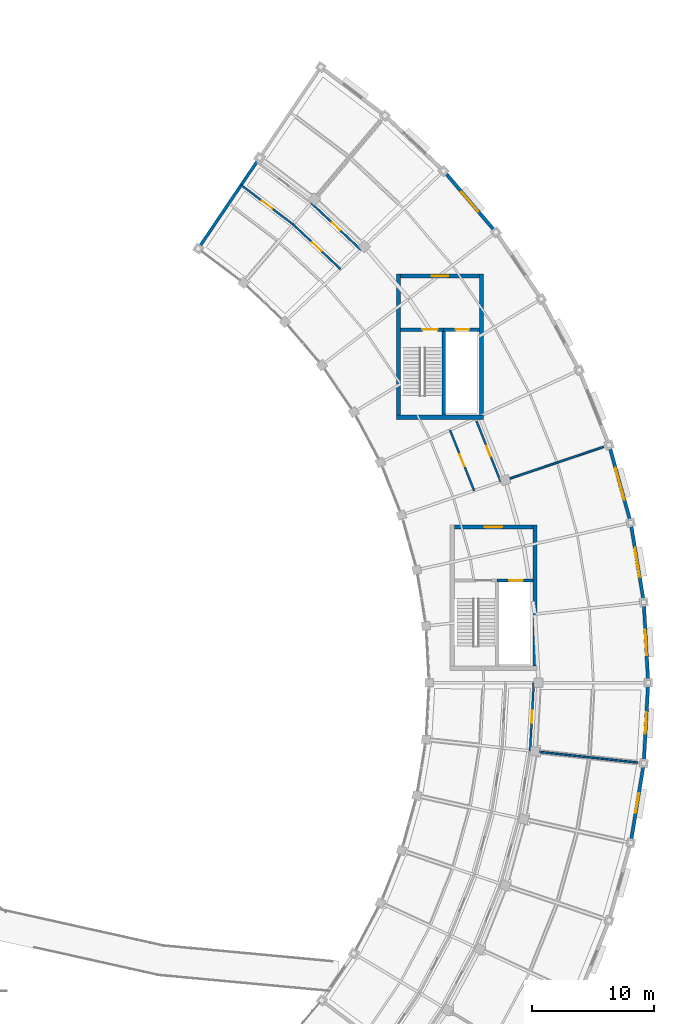
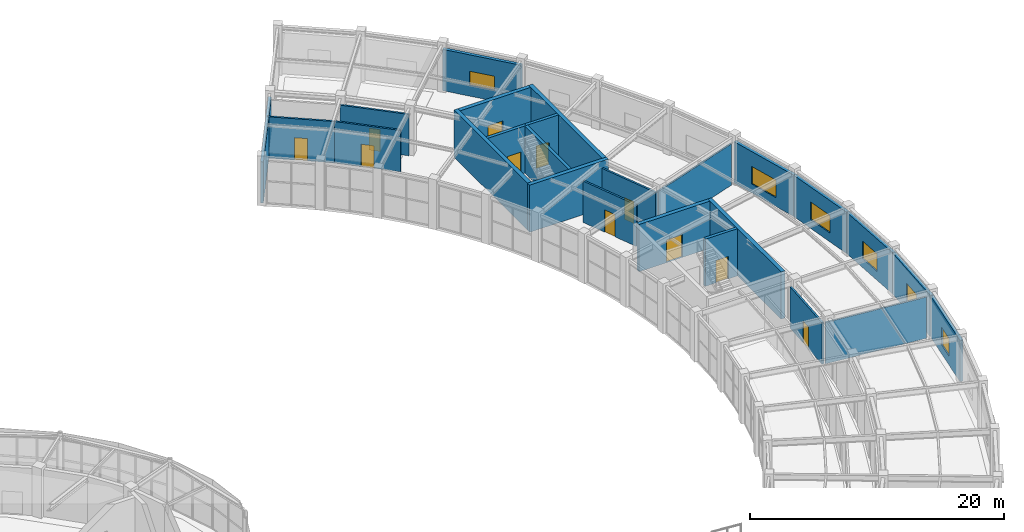
# One storey, part 84 of 100: 25 walls, 11 doors, 6 windows, 17 openings.
"""IFC4 building model written with IfcOpenShell, lengths in metres."""

import ifcopenshell
import ifcopenshell.guid

model = None  # the IFC model being written
_history = None  # IfcOwnerHistory: only IFC2X3 demands one
_inside = {}  # id of a spatial element -> (the spatial element, [elements in it])
_under = {}  # id of a project, library or spatial element -> (it, [spatial elements below it])
_declared = {}  # id of a project -> (the project, [libraries it declares])
_typed = {}  # id of a type object -> (the type object, [elements of that type])
_made_of = {}  # id of a material, layer set ... -> (it, [elements and type objects made of it])


def new_model(schema):
    """Start an empty IFC model of exactly this schema.

    Asked for "IFC4X3", IfcOpenShell would pick the latest addendum, in which some entities
    have other attributes; the version numbers below select the first issue.
    IFC2X3 requires an IfcOwnerHistory on every rooted entity: one is made here for all.
    """
    global model, _history
    if schema == "IFC4X3":
        model = ifcopenshell.file(schema_version=(4, 3, 0, 0))
    else:
        model = ifcopenshell.file(schema=schema)
    _inside.clear()
    _under.clear()
    _declared.clear()
    _typed.clear()
    _made_of.clear()
    _history = None
    if model.schema == "IFC2X3":
        org = make("IfcOrganization", Name="unknown")
        user = make(
            "IfcPersonAndOrganization",
            ThePerson=make("IfcPerson", FamilyName="unknown"),
            TheOrganization=org,
        )
        app = make(
            "IfcApplication",
            ApplicationDeveloper=org,
            Version="unknown",
            ApplicationFullName="unknown",
            ApplicationIdentifier="unknown",
        )
        _history = make(
            "IfcOwnerHistory",
            OwningUser=user,
            OwningApplication=app,
            ChangeAction="ADDED",
            CreationDate=0,
        )
    return model


def make(cls, **values):
    """One entity of the class cls with the attributes given. An attribute that is None is left unset."""
    return model.create_entity(
        cls, **{name: value for name, value in values.items() if value is not None}
    )


def rooted(cls, **values):
    """An entity with a GlobalId (a new one), such as an element, a storey or a relation."""
    return make(cls, GlobalId=ifcopenshell.guid.new(), OwnerHistory=_history, **values)


def si_unit(unit_type, name, prefix=None):
    """IfcSIUnit, for example si_unit("LENGTHUNIT", "METRE", prefix="MILLI")."""
    return make("IfcSIUnit", UnitType=unit_type, Prefix=prefix, Name=name)


def assignment(units):
    """IfcUnitAssignment: the units of a project."""
    return None if units is None else make("IfcUnitAssignment", Units=units)


def point(xyz):
    """IfcCartesianPoint."""
    return None if xyz is None else make("IfcCartesianPoint", Coordinates=xyz)


def direction(xyz):
    """IfcDirection."""
    return None if xyz is None else make("IfcDirection", DirectionRatios=xyz)


def frame(location, z_axis=None, x_axis=None):
    """IfcAxis2Placement3D, a coordinate frame: its origin and axes. An axis left out is left unset."""
    return make(
        "IfcAxis2Placement3D",
        Location=point(location),
        Axis=direction(z_axis),
        RefDirection=direction(x_axis),
    )


def frame_2d(location, x_axis=None):
    """IfcAxis2Placement2D, a coordinate frame in the plane: its origin and x axis."""
    return make(
        "IfcAxis2Placement2D", Location=point(location), RefDirection=direction(x_axis)
    )


def origin():
    """The frame at (0, 0, 0) with its axes left unset."""
    return frame((0.0, 0.0, 0.0))


def place(relative_to, where):
    """IfcLocalPlacement: puts the frame where relative to a parent placement (None: the world)."""
    return make(
        "IfcLocalPlacement", PlacementRelTo=relative_to, RelativePlacement=where
    )


def context(
    kind, dimensions, precision=None, world=None, true_north=None, identifier=None
):
    """IfcGeometricRepresentationContext, for example the 3D "Model" context."""
    return make(
        "IfcGeometricRepresentationContext",
        ContextIdentifier=identifier,
        ContextType=kind,
        CoordinateSpaceDimension=dimensions,
        Precision=precision,
        WorldCoordinateSystem=world,
        TrueNorth=true_north,
    )


def subcontext(parent, identifier, kind, view, scale=None):
    """IfcGeometricRepresentationSubContext, for example "Body" below "Model"."""
    return make(
        "IfcGeometricRepresentationSubContext",
        ContextIdentifier=identifier,
        ContextType=kind,
        ParentContext=parent,
        TargetScale=scale,
        TargetView=view,
    )


def project(units=None, contexts=None):
    """IfcProject with its units and contexts."""
    return rooted(
        "IfcProject",
        Name="project",
        RepresentationContexts=contexts,
        UnitsInContext=assignment(units),
    )


def spatial(cls, under=None, at=None, **own):
    """A site, building, storey or space (cls), placed at a placement, below another one or the project."""
    s = rooted(cls, ObjectPlacement=at, **own)
    if under is not None:
        _under.setdefault(under.id(), (under, []))[1].append(s)
    return s


def profile(cls, at=None, kind="AREA", **sizes):
    """A parametric profile (cls). Its sizes go by their IFC names, for example OverallWidth=200.0."""
    return make(cls, ProfileType=kind, Position=at, **sizes)


def rectangle(**sizes):
    """IfcRectangleProfileDef."""
    return profile("IfcRectangleProfileDef", **sizes)


def extrude(swept, where, along, depth):
    """IfcExtrudedAreaSolid: the profile swept, set in the frame where, extruded along a direction by depth."""
    return make(
        "IfcExtrudedAreaSolid",
        SweptArea=swept,
        Position=where,
        ExtrudedDirection=direction(along),
        Depth=depth,
    )


def shape(context_of_items, identifier, shape_type, items):
    """IfcShapeRepresentation: the items that make up one representation, for example the "Body"."""
    return make(
        "IfcShapeRepresentation",
        ContextOfItems=context_of_items,
        RepresentationIdentifier=identifier,
        RepresentationType=shape_type,
        Items=items,
    )


def material(Name=None, Category=None):
    """IfcMaterial."""
    return make("IfcMaterial", Name=Name, Category=Category)


def layer(
    of_material, thickness, ventilated=None, Name=None, Category=None, Priority=None
):
    """IfcMaterialLayer: one layer of a wall or slab, of a material (None: an air gap)."""
    return make(
        "IfcMaterialLayer",
        Material=of_material,
        LayerThickness=thickness,
        IsVentilated=ventilated,
        Name=Name,
        Category=Category,
        Priority=Priority,
    )


def layer_set(layers, Name=None):
    """IfcMaterialLayerSet."""
    return make("IfcMaterialLayerSet", MaterialLayers=layers, LayerSetName=Name)


def made_of(thing, what):
    """Note that an element or type object is made of a material, layer set ...; save() writes the relation."""
    if what is not None:
        _made_of.setdefault(what.id(), (what, []))[1].append(thing)
    return thing


def type_object(cls, material=None, **own):
    """A type object (cls), such as IfcWallType, which elements share."""
    return made_of(rooted(cls, **own), material)


def element(
    cls,
    number,
    at=None,
    inside=None,
    cuts=None,
    type_object=None,
    material=None,
    context=None,
    identifier="Body",
    shape_type=None,
    held_by="IfcProductDefinitionShape",
    body=None,
    shapes=None,
    **own,
):
    """One element of the class cls, such as IfcWall. Its Tag is "e" and its number.

    at: its placement. inside: the storey or other place that contains it. cuts: it is an
    opening in that element (IfcRelVoidsElement). A single representation is given by context,
    identifier, shape_type and body (its items); several are given by shapes. held_by: the class
    of the entity that holds the representations. save() writes the other relations.
    """
    e = rooted(cls, Tag="e%d" % number, ObjectPlacement=at, **own)
    if body is not None:
        shapes = [shape(context, identifier, shape_type, body)]
    if shapes is not None:
        e.Representation = make(held_by, Representations=shapes)
    if inside is not None:
        _inside.setdefault(inside.id(), (inside, []))[1].append(e)
    if cuts is not None:
        rooted(
            "IfcRelVoidsElement", RelatingBuildingElement=cuts, RelatedOpeningElement=e
        )
    if type_object is not None:
        _typed.setdefault(type_object.id(), (type_object, []))[1].append(e)
    return made_of(e, material)


def fill(opening, filler):
    """IfcRelFillsElement: the door or window that sits in an opening."""
    return rooted(
        "IfcRelFillsElement",
        RelatingOpeningElement=opening,
        RelatedBuildingElement=filler,
    )


def aggregate(whole, parts):
    """IfcRelAggregates: a whole, such as a stair, and the parts it consists of."""
    return rooted("IfcRelAggregates", RelatingObject=whole, RelatedObjects=parts)


def save(model, path):
    """Write the relations noted so far, then the file.

    IfcRelAggregates (storeys below a building ...), IfcRelContainedInSpatialStructure (elements
    in a storey), IfcRelDefinesByType, IfcRelAssociatesMaterial and IfcRelDeclares: one each for
    every whole, place, type object, material and project.
    """
    for whole, parts in _under.values():
        aggregate(whole, parts)
    for where, things in _inside.values():
        rooted(
            "IfcRelContainedInSpatialStructure",
            RelatedElements=things,
            RelatingStructure=where,
        )
    for kind, things in _typed.values():
        rooted("IfcRelDefinesByType", RelatedObjects=things, RelatingType=kind)
    for what, things in _made_of.values():
        rooted("IfcRelAssociatesMaterial", RelatedObjects=things, RelatingMaterial=what)
    for by, libraries in _declared.values():
        rooted("IfcRelDeclares", RelatingContext=by, RelatedDefinitions=libraries)
    model.write(path)


model = new_model("IFC4")

# Units and contexts
model_context = context("Model", 3, precision=1e-05, world=origin(), true_north=direction((0.0, 1.0)))
body_context = subcontext(model_context, "Body", "Model", "MODEL_VIEW")
ifc_project = project(units=[si_unit("LENGTHUNIT", "METRE"), si_unit("AREAUNIT", "SQUARE_METRE"), si_unit("VOLUMEUNIT", "CUBIC_METRE"), si_unit("PLANEANGLEUNIT", "RADIAN"), si_unit("MASSUNIT", "GRAM", prefix="KILO")], contexts=[model_context])

# Site, building, storey
site_placement = place(None, origin())
site = spatial("IfcSite", under=ifc_project, at=site_placement, CompositionType="ELEMENT")
building_placement = place(site_placement, origin())
building = spatial("IfcBuilding", under=site, at=building_placement, Name="Tarnveldt Headland Concert Hall", CompositionType="ELEMENT")
storey_placement = place(building_placement, frame((0.0, 0.0, 4.800048828125)))
storey = spatial("IfcBuildingStorey", under=building, at=storey_placement, Name="L01", CompositionType="ELEMENT", Elevation=4.800048828125)

# Wall
ifc_material_1 = material(Name="Concrete C40/50", Category="concrete")
ifc_layer_1 = layer(ifc_material_1, 0.35009765625, Name="Concrete C40/50", Category="concrete")
ifc_layer_set_1 = layer_set([ifc_layer_1], Name="Concrete C40/50")
wall_type_1 = type_object("IfcWallType", Name="WL-CR350", PredefinedType="SHEAR", material=ifc_layer_set_1)
wall_1_placement = place(storey_placement, frame((157.824951171875, 81.800048828125, 0.0), z_axis=(0.0, 0.0, 1.0), x_axis=(1.0, 0.0, 0.0)))
element("IfcWall", 1, at=wall_1_placement, inside=storey, type_object=wall_type_1, Name="Core C3 south shear wall L01", PredefinedType="SHEAR", context=body_context, shape_type="SweptSolid", body=[
    extrude(rectangle(XDim=7.150146484375, YDim=0.35009765625, at=frame_2d((3.5751953125, 0.0))), origin(), (0.0, 0.0, 1.0), 4.5400390625),
])

# Wall, opening, door
wall_2_placement = place(storey_placement, frame((158.175048828125, 93.39990234375, 0.0), z_axis=(0.0, 0.0, 1.0), x_axis=(1.0, 0.0, 0.0)))
wall_2 = element("IfcWall", 2, at=wall_2_placement, inside=storey, type_object=wall_type_1, Name="Core C3 north shear wall L01", PredefinedType="SHEAR", context=body_context, shape_type="SweptSolid", body=[
    extrude(rectangle(XDim=6.449951171875, YDim=0.35009765625, at=frame_2d((3.22509765625, 0.0))), origin(), (0.0, 0.0, 1.0), 4.5400390625),
])
opening_1_placement = place(wall_2_placement, frame((2.550048828125, 0.0, 0.0)))
opening_1 = element("IfcOpeningElement", 3, at=opening_1_placement, cuts=wall_2, Name="Opening FFD-C3-L01", PredefinedType="OPENING", context=body_context, shape_type="SweptSolid", body=[
    extrude(rectangle(XDim=1.35009765625, YDim=2.199951171875, at=frame_2d((0.675048828125, 1.10009765625))), frame((0.0, 0.18505859375, 0.0), z_axis=(0.0, -1.0, 0.0), x_axis=(1.0, 0.0, 0.0)), (0.0, 0.0, 1.0), 0.3701171875),
])
ifc_material_2 = material(Name="Galvanised painted steel sheet", Category="steel")
door_type_1 = type_object("IfcDoorType", Name="DR-FF135", OperationType="NOTDEFINED", PredefinedType="DOOR", material=ifc_material_2)
door_1_placement = place(opening_1_placement, origin())
door_1 = element("IfcDoor", 4, at=door_1_placement, inside=storey, type_object=door_type_1, Name="Core C3 firefighting lobby entrance door L01", OperationType="SINGLE_SWING_LEFT", OverallHeight=2.199951171875, OverallWidth=1.35009765625, PredefinedType="DOOR", context=body_context, shape_type="SweptSolid", body=[
    extrude(rectangle(XDim=1.35009765625, YDim=2.199951171875, at=frame_2d((0.675048828125, 1.10009765625))), frame((0.0, 0.02490234375, 0.0), z_axis=(0.0, -1.0, 0.0), x_axis=(1.0, 0.0, 0.0)), (0.0, 0.0, 1.0), 0.050048828125),
])
fill(opening_1, door_1)

# Walls
for number, where, z_axis, x_axis, name in (
    (5, (158.0, 81.97509765625, 0.0), (0.0, 0.0, 1.0), (0.0, 1.0, 0.0), "Core C3 west shear wall L01"),
    (6, (164.800048828125, 81.97509765625, 0.0), (0.0, 0.0, 1.0), (0.0, 1.0, 0.0), "Core C3 east shear wall L01"),
):
    element("IfcWall", number, at=place(storey_placement, frame(where, z_axis=z_axis, x_axis=x_axis)), inside=storey, type_object=wall_type_1, Name=name, PredefinedType="SHEAR", context=body_context, shape_type="SweptSolid", body=[
        extrude(rectangle(XDim=11.599853515625, YDim=0.35009765625, at=frame_2d((5.7998046875, 0.0))), origin(), (0.0, 0.0, 1.0), 4.5400390625),
    ])

# Wall, opening, door
wall_3_placement = place(storey_placement, frame((162.574951171875, 72.800048828125, 0.0), z_axis=(0.0, 0.0, 1.0), x_axis=(1.0, 0.0, 0.0)))
wall_3 = element("IfcWall", 7, at=wall_3_placement, inside=storey, type_object=wall_type_1, Name="Core C4 north shear wall L01", PredefinedType="SHEAR", context=body_context, shape_type="SweptSolid", body=[
    extrude(rectangle(XDim=6.449951171875, YDim=0.35009765625, at=frame_2d((3.22509765625, 0.0))), origin(), (0.0, 0.0, 1.0), 4.5400390625),
])
opening_2_placement = place(wall_3_placement, frame((2.5, 0.0, 0.0)))
opening_2 = element("IfcOpeningElement", 8, at=opening_2_placement, cuts=wall_3, Name="Opening LBD-C4-L01", PredefinedType="OPENING", context=body_context, shape_type="SweptSolid", body=[
    extrude(rectangle(XDim=1.449951171875, YDim=2.199951171875, at=frame_2d((0.72509765625, 1.10009765625))), frame((0.0, 0.18505859375, 0.0), z_axis=(0.0, -1.0, 0.0), x_axis=(1.0, 0.0, 0.0)), (0.0, 0.0, 1.0), 0.3701171875),
])
door_type_2 = type_object("IfcDoorType", Name="DR-LB145", OperationType="NOTDEFINED", PredefinedType="DOOR", material=ifc_material_2)
door_2_placement = place(opening_2_placement, origin())
door_2 = element("IfcDoor", 9, at=door_2_placement, inside=storey, type_object=door_type_2, Name="Core C4 lobby entrance door L01", OperationType="SINGLE_SWING_RIGHT", OverallHeight=2.199951171875, OverallWidth=1.449951171875, PredefinedType="DOOR", context=body_context, shape_type="SweptSolid", body=[
    extrude(rectangle(XDim=1.449951171875, YDim=2.199951171875, at=frame_2d((0.72509765625, 1.10009765625))), frame((0.0, 0.02490234375, 0.0), z_axis=(0.0, -1.0, 0.0), x_axis=(1.0, 0.0, 0.0)), (0.0, 0.0, 1.0), 0.050048828125),
])
fill(opening_2, door_2)

# Walls
wall_4_placement = place(storey_placement, frame((169.199951171875, 61.375, 0.0), z_axis=(0.0, 0.0, 1.0), x_axis=(0.0, 1.0, 0.0)))
element("IfcWall", 10, at=wall_4_placement, inside=storey, type_object=wall_type_1, Name="Core C4 east shear wall L01", PredefinedType="SHEAR", context=body_context, shape_type="SweptSolid", body=[
    extrude(rectangle(XDim=11.60009765625, YDim=0.35009765625, at=frame_2d((5.800048828125, 0.0))), origin(), (0.0, 0.0, 1.0), 4.5400390625),
])
ifc_material_3 = material(Name="Coral-toned precast concrete C40/50", Category="concrete")
ifc_layer_2 = layer(ifc_material_3, 0.25, Name="Coral-toned precast concrete C40/50", Category="concrete")
ifc_layer_set_2 = layer_set([ifc_layer_2], Name="Coral-toned precast concrete C40/50")
wall_type_2 = type_object("IfcWallType", Name="WL-EX250", PredefinedType="SOLIDWALL", material=ifc_layer_set_2)
wall_5_placement = place(storey_placement, frame((141.556396484375, 95.665283203125, 0.0), z_axis=(0.0, 0.0, 1.0), x_axis=(0.559200466777, 0.829032470991, 0.0)))
element("IfcWall", 11, at=wall_5_placement, inside=storey, type_object=wall_type_2, Name="External precast wall L01-129", PredefinedType="SOLIDWALL", context=body_context, shape_type="SweptSolid", body=[
    extrude(rectangle(XDim=8.960205078125, YDim=0.25, at=frame_2d((4.47998046875, 0.0))), origin(), (0.0, 0.0, 1.0), 3.97802734375),
])

# Wall, opening, window
ifc_layer_3 = layer(ifc_material_3, 0.27490234375, Name="Coral-toned precast concrete C40/50", Category="concrete")
ifc_layer_set_3 = layer_set([ifc_layer_3], Name="Coral-toned precast concrete C40/50")
wall_type_3 = type_object("IfcWallType", Name="WL-EX275", PredefinedType="SOLIDWALL", material=ifc_layer_set_3)
wall_6_placement = place(storey_placement, frame((178.137451171875, 53.368896484375, 0.0), z_axis=(0.0, 0.0, 1.0), x_axis=(-0.162178892589, -0.986761372774, 0.0)))
wall_6 = element("IfcWall", 12, at=wall_6_placement, inside=storey, type_object=wall_type_3, Name="External precast wall L01-116", PredefinedType="SOLIDWALL", context=body_context, shape_type="SweptSolid", body=[
    extrude(rectangle(XDim=6.58154296875, YDim=0.27490234375, at=frame_2d((3.290771484375, 0.0))), origin(), (0.0, 0.0, 1.0), 3.97802734375),
])
opening_3_placement = place(wall_6_placement, frame((2.49072265625, 0.0, 0.85009765625)))
opening_3 = element("IfcOpeningElement", 13, at=opening_3_placement, cuts=wall_6, Name="Opening W-C046", PredefinedType="OPENING", context=body_context, shape_type="SweptSolid", body=[
    extrude(rectangle(XDim=1.60009765625, YDim=1.699951171875, at=frame_2d((0.800048828125, 0.85009765625))), frame((0.0, 0.1474609375, 0.0), z_axis=(0.0, -1.0, 0.0), x_axis=(1.0, 0.0, 0.0)), (0.0, 0.0, 1.0), 0.294921875),
])
ifc_material_4 = material(Name="Acoustic laminated low-iron double glazing", Category="glass")
window_type_1 = type_object("IfcWindowType", Name="WN-11", PartitioningType="SINGLE_PANEL", PredefinedType="WINDOW", material=ifc_material_4)
window_1_placement = place(opening_3_placement, origin())
window_1 = element("IfcWindow", 14, at=window_1_placement, inside=storey, type_object=window_type_1, Name="Crescent coastal studio window L01-8", OverallHeight=1.699951171875, OverallWidth=1.60009765625, PartitioningType="SINGLE_PANEL", PredefinedType="WINDOW", context=body_context, shape_type="SweptSolid", body=[
    extrude(rectangle(XDim=1.60009765625, YDim=1.699951171875, at=frame_2d((0.800048828125, 0.85009765625))), frame((0.0, 0.030029296875, 0.0), z_axis=(0.0, -1.0, 0.0), x_axis=(1.0, 0.0, 0.0)), (0.0, 0.0, 1.0), 0.06005859375),
])
fill(opening_3, window_1)

wall_7_placement = place(storey_placement, frame((178.498779296875, 59.97998046875, 0.0), z_axis=(0.0, 0.0, 1.0), x_axis=(-0.05427216263, -0.998526180109, 0.0)))
wall_7 = element("IfcWall", 15, at=wall_7_placement, inside=storey, type_object=wall_type_3, Name="External precast wall L01-117", PredefinedType="SOLIDWALL", context=body_context, shape_type="SweptSolid", body=[
    extrude(rectangle(XDim=6.581298828125, YDim=0.27490234375, at=frame_2d((3.29052734375, 0.0))), origin(), (0.0, 0.0, 1.0), 3.97802734375),
])
opening_4_placement = place(wall_7_placement, frame((2.390625, 0.0, 0.85009765625)))
opening_4 = element("IfcOpeningElement", 16, at=opening_4_placement, cuts=wall_7, Name="Opening W-C047", PredefinedType="OPENING", context=body_context, shape_type="SweptSolid", body=[
    extrude(rectangle(XDim=1.800048828125, YDim=1.699951171875, at=frame_2d((0.89990234375, 0.85009765625))), frame((0.0, 0.1474609375, 0.0), z_axis=(0.0, -1.0, 0.0), x_axis=(1.0, 0.0, 0.0)), (0.0, 0.0, 1.0), 0.294921875),
])
window_type_2 = type_object("IfcWindowType", Name="WN-12", PartitioningType="SINGLE_PANEL", PredefinedType="WINDOW", material=ifc_material_4)
window_2_placement = place(opening_4_placement, origin())
window_2 = element("IfcWindow", 17, at=window_2_placement, inside=storey, type_object=window_type_2, Name="Crescent coastal studio window L01-9", OverallHeight=1.699951171875, OverallWidth=1.800048828125, PartitioningType="SINGLE_PANEL", PredefinedType="WINDOW", context=body_context, shape_type="SweptSolid", body=[
    extrude(rectangle(XDim=1.800048828125, YDim=1.699951171875, at=frame_2d((0.89990234375, 0.85009765625))), frame((0.0, 0.030029296875, 0.0), z_axis=(0.0, -1.0, 0.0), x_axis=(1.0, 0.0, 0.0)), (0.0, 0.0, 1.0), 0.06005859375),
])
fill(opening_4, window_2)

wall_8_placement = place(storey_placement, frame((178.1416015625, 66.591552734375, 0.0), z_axis=(0.0, 0.0, 1.0), x_axis=(0.05427216263, -0.998526180109, 0.0)))
wall_8 = element("IfcWall", 18, at=wall_8_placement, inside=storey, type_object=wall_type_3, Name="External precast wall L01-118", PredefinedType="SOLIDWALL", context=body_context, shape_type="SweptSolid", body=[
    extrude(rectangle(XDim=6.581298828125, YDim=0.27490234375, at=frame_2d((3.29052734375, 0.0))), origin(), (0.0, 0.0, 1.0), 3.97802734375),
])
opening_5_placement = place(wall_8_placement, frame((2.240478515625, 0.0, 0.85009765625)))
opening_5 = element("IfcOpeningElement", 19, at=opening_5_placement, cuts=wall_8, Name="Opening W-C048", PredefinedType="OPENING", context=body_context, shape_type="SweptSolid", body=[
    extrude(rectangle(XDim=2.10009765625, YDim=1.699951171875, at=frame_2d((1.050048828125, 0.85009765625))), frame((0.0, 0.1474609375, 0.0), z_axis=(0.0, -1.0, 0.0), x_axis=(1.0, 0.0, 0.0)), (0.0, 0.0, 1.0), 0.294921875),
])
window_type_3 = type_object("IfcWindowType", Name="WN-13", PartitioningType="SINGLE_PANEL", PredefinedType="WINDOW", material=ifc_material_4)
window_3_placement = place(opening_5_placement, origin())
window_3 = element("IfcWindow", 20, at=window_3_placement, inside=storey, type_object=window_type_3, Name="Crescent coastal studio window L01-10", OverallHeight=1.699951171875, OverallWidth=2.10009765625, PartitioningType="SINGLE_PANEL", PredefinedType="WINDOW", context=body_context, shape_type="SweptSolid", body=[
    extrude(rectangle(XDim=2.10009765625, YDim=1.699951171875, at=frame_2d((1.050048828125, 0.85009765625))), frame((0.0, 0.030029296875, 0.0), z_axis=(0.0, -1.0, 0.0), x_axis=(1.0, 0.0, 0.0)), (0.0, 0.0, 1.0), 0.06005859375),
])
fill(opening_5, window_3)

wall_9_placement = place(storey_placement, frame((177.070068359375, 73.12548828125, 0.0), z_axis=(0.0, 0.0, 1.0), x_axis=(0.162178892589, -0.986761372774, 0.0)))
wall_9 = element("IfcWall", 21, at=wall_9_placement, inside=storey, type_object=wall_type_3, Name="External precast wall L01-119", PredefinedType="SOLIDWALL", context=body_context, shape_type="SweptSolid", body=[
    extrude(rectangle(XDim=6.58154296875, YDim=0.27490234375, at=frame_2d((3.290771484375, 0.0))), origin(), (0.0, 0.0, 1.0), 3.97802734375),
])
opening_6_placement = place(wall_9_placement, frame((2.0908203125, 0.0, 0.85009765625)))
opening_6 = element("IfcOpeningElement", 22, at=opening_6_placement, cuts=wall_9, Name="Opening W-C049", PredefinedType="OPENING", context=body_context, shape_type="SweptSolid", body=[
    extrude(rectangle(XDim=2.39990234375, YDim=1.699951171875, at=frame_2d((1.199951171875, 0.85009765625))), frame((0.0, 0.1474609375, 0.0), z_axis=(0.0, -1.0, 0.0), x_axis=(1.0, 0.0, 0.0)), (0.0, 0.0, 1.0), 0.294921875),
])
window_type_4 = type_object("IfcWindowType", Name="WN-14", PartitioningType="SINGLE_PANEL", PredefinedType="WINDOW", material=ifc_material_4)
window_4_placement = place(opening_6_placement, origin())
window_4 = element("IfcWindow", 23, at=window_4_placement, inside=storey, type_object=window_type_4, Name="Crescent coastal studio window L01-11", OverallHeight=1.699951171875, OverallWidth=2.39990234375, PartitioningType="SINGLE_PANEL", PredefinedType="WINDOW", context=body_context, shape_type="SweptSolid", body=[
    extrude(rectangle(XDim=2.39990234375, YDim=1.699951171875, at=frame_2d((1.199951171875, 0.85009765625))), frame((0.0, 0.030029296875, 0.0), z_axis=(0.0, -1.0, 0.0), x_axis=(1.0, 0.0, 0.0)), (0.0, 0.0, 1.0), 0.06005859375),
])
fill(opening_6, window_4)

wall_10_placement = place(storey_placement, frame((175.296630859375, 79.50439453125, 0.0), z_axis=(0.0, 0.0, 1.0), x_axis=(0.268139380464, -0.96338012884, 0.0)))
wall_10 = element("IfcWall", 24, at=wall_10_placement, inside=storey, type_object=wall_type_3, Name="External precast wall L01-120", PredefinedType="SOLIDWALL", context=body_context, shape_type="SweptSolid", body=[
    extrude(rectangle(XDim=6.5810546875, YDim=0.27490234375, at=frame_2d((3.29052734375, 0.0))), origin(), (0.0, 0.0, 1.0), 3.97802734375),
])
opening_7_placement = place(wall_10_placement, frame((1.940673828125, 0.0, 0.85009765625)))
opening_7 = element("IfcOpeningElement", 25, at=opening_7_placement, cuts=wall_10, Name="Opening W-C050", PredefinedType="OPENING", context=body_context, shape_type="SweptSolid", body=[
    extrude(rectangle(XDim=2.699951171875, YDim=1.699951171875, at=frame_2d((1.35009765625, 0.85009765625))), frame((0.0, 0.1474609375, 0.0), z_axis=(0.0, -1.0, 0.0), x_axis=(1.0, 0.0, 0.0)), (0.0, 0.0, 1.0), 0.294921875),
])
window_type_5 = type_object("IfcWindowType", Name="WN-15", PartitioningType="SINGLE_PANEL", PredefinedType="WINDOW", material=ifc_material_4)
window_5_placement = place(opening_7_placement, origin())
window_5 = element("IfcWindow", 26, at=window_5_placement, inside=storey, type_object=window_type_5, Name="Crescent coastal studio window L01-12", OverallHeight=1.699951171875, OverallWidth=2.699951171875, PartitioningType="SINGLE_PANEL", PredefinedType="WINDOW", context=body_context, shape_type="SweptSolid", body=[
    extrude(rectangle(XDim=2.699951171875, YDim=1.699951171875, at=frame_2d((1.35009765625, 0.85009765625))), frame((0.0, 0.030029296875, 0.0), z_axis=(0.0, -1.0, 0.0), x_axis=(1.0, 0.0, 0.0)), (0.0, 0.0, 1.0), 0.06005859375),
])
fill(opening_7, window_5)

wall_11_placement = place(storey_placement, frame((161.72021484375, 102.017333984375, 0.0), z_axis=(0.0, 0.0, 1.0), x_axis=(0.648708464949, -0.761037007973, 0.0)))
wall_11 = element("IfcWall", 27, at=wall_11_placement, inside=storey, type_object=wall_type_3, Name="External precast wall L01-124", PredefinedType="SOLIDWALL", context=body_context, shape_type="SweptSolid", body=[
    extrude(rectangle(XDim=6.581298828125, YDim=0.27490234375, at=frame_2d((3.29052734375, 0.0))), origin(), (0.0, 0.0, 1.0), 3.97802734375),
])
opening_8_placement = place(wall_11_placement, frame((2.240478515625, 0.0, 1.050048828125)))
opening_8 = element("IfcOpeningElement", 28, at=opening_8_placement, cuts=wall_11, Name="Opening W-C054", PredefinedType="OPENING", context=body_context, shape_type="SweptSolid", body=[
    extrude(rectangle(XDim=2.10009765625, YDim=1.35009765625, at=frame_2d((1.050048828125, 0.675048828125))), frame((0.0, 0.1474609375, 0.0), z_axis=(0.0, -1.0, 0.0), x_axis=(1.0, 0.0, 0.0)), (0.0, 0.0, 1.0), 0.294921875),
])
window_type_6 = type_object("IfcWindowType", Name="WN-19", PartitioningType="SINGLE_PANEL", PredefinedType="WINDOW", material=ifc_material_4)
window_6_placement = place(opening_8_placement, origin())
window_6 = element("IfcWindow", 29, at=window_6_placement, inside=storey, type_object=window_type_6, Name="Crescent coastal studio window L01-16", OverallHeight=1.35009765625, OverallWidth=2.10009765625, PartitioningType="SINGLE_PANEL", PredefinedType="WINDOW", context=body_context, shape_type="SweptSolid", body=[
    extrude(rectangle(XDim=2.10009765625, YDim=1.35009765625, at=frame_2d((1.050048828125, 0.675048828125))), frame((0.0, 0.030029296875, 0.0), z_axis=(0.0, -1.0, 0.0), x_axis=(1.0, 0.0, 0.0)), (0.0, 0.0, 1.0), 0.06005859375),
])
fill(opening_8, window_6)

# Walls
ifc_material_5 = material(Name="Acoustic multi-layer gypsum and mineral-wool partition", Category="gypsum")
ifc_layer_4 = layer(ifc_material_5, 0.14990234375, Name="Acoustic multi-layer gypsum and mineral-wool partition", Category="gypsum")
ifc_layer_set_4 = layer_set([ifc_layer_4], Name="Acoustic multi-layer gypsum and mineral-wool partition")
wall_type_4 = type_object("IfcWallType", Name="WL-PT150", PredefinedType="PARTITIONING", material=ifc_layer_set_4)
for number, where, z_axis, x_axis, name in (
    (30, (168.994873046875, 54.3857421875, 0.0), (0.0, 0.0, 1.0), (0.994106851206, -0.108404651128, 0.0), "Interior acoustic partition L01-181"),
    (31, (166.5751953125, 76.5791015625, 0.0), (0.0, 0.0, 1.0), (0.947390199596, 0.320080942435, 0.0), "Interior acoustic partition L01-184"),
):
    element("IfcWall", number, at=place(storey_placement, frame(where, z_axis=z_axis, x_axis=x_axis)), inside=storey, type_object=wall_type_4, Name=name, PredefinedType="PARTITIONING", context=body_context, shape_type="SweptSolid", body=[
        extrude(rectangle(XDim=8.699951171875, YDim=0.14990234375, at=frame_2d((4.35009765625, 0.0))), origin(), (0.0, 0.0, 1.0), 3.97998046875),
    ])

# Wall, opening, door
ifc_layer_5 = layer(ifc_material_5, 0.1650390625, Name="Acoustic multi-layer gypsum and mineral-wool partition", Category="gypsum")
ifc_layer_set_5 = layer_set([ifc_layer_5], Name="Acoustic multi-layer gypsum and mineral-wool partition")
wall_type_5 = type_object("IfcWallType", Name="WL-PT165", PredefinedType="PARTITIONING", material=ifc_layer_set_5)
wall_12_placement = place(storey_placement, frame((168.7958984375, 54.4072265625, 0.0), z_axis=(0.0, 0.0, 1.0), x_axis=(0.054311200267, 0.99852405756, 0.0)))
wall_12 = element("IfcWall", 32, at=wall_12_placement, inside=storey, type_object=wall_type_5, Name="Interior acoustic partition L01-180", PredefinedType="PARTITIONING", context=body_context, shape_type="SweptSolid", body=[
    extrude(rectangle(XDim=5.60107421875, YDim=0.1650390625, at=frame_2d((2.800537109375, 0.0))), origin(), (0.0, 0.0, 1.0), 3.97998046875),
])
opening_9_placement = place(wall_12_placement, frame((2.300537109375, 0.0, 0.0)))
opening_9 = element("IfcOpeningElement", 33, at=opening_9_placement, cuts=wall_12, Name="Opening D-L01-190", PredefinedType="OPENING", context=body_context, shape_type="SweptSolid", body=[
    extrude(rectangle(XDim=1.0, YDim=2.1201171875, at=frame_2d((0.5, 1.06005859375))), frame((0.0, 0.092529296875, 0.0), z_axis=(0.0, -1.0, 0.0), x_axis=(1.0, 0.0, 0.0)), (0.0, 0.0, 1.0), 0.18505859375),
])
ifc_material_6 = material(Name="Treated East African mvule hardwood", Category="wood")
door_type_3 = type_object("IfcDoorType", Name="DR-RM100", OperationType="NOTDEFINED", PredefinedType="DOOR", material=ifc_material_6)
door_3_placement = place(opening_9_placement, origin())
door_3 = element("IfcDoor", 34, at=door_3_placement, inside=storey, type_object=door_type_3, Name="Interior room door L01-190", OperationType="SINGLE_SWING_RIGHT", OverallHeight=2.1201171875, OverallWidth=1.0, PredefinedType="DOOR", context=body_context, shape_type="SweptSolid", body=[
    extrude(rectangle(XDim=1.0, YDim=2.1201171875, at=frame_2d((0.5, 1.06005859375))), frame((0.0, 0.02490234375, 0.0), z_axis=(0.0, -1.0, 0.0), x_axis=(1.0, 0.0, 0.0)), (0.0, 0.0, 1.0), 0.050048828125),
])
fill(opening_9, door_3)

wall_13_placement = place(storey_placement, frame((164.206787109375, 75.779052734375, 0.0), z_axis=(0.0, 0.0, 1.0), x_axis=(-0.371052411724, 0.92861192527, 0.0)))
wall_13 = element("IfcWall", 35, at=wall_13_placement, inside=storey, type_object=wall_type_5, Name="Interior acoustic partition L01-182", PredefinedType="PARTITIONING", context=body_context, shape_type="SweptSolid", body=[
    extrude(rectangle(XDim=5.351318359375, YDim=0.1650390625, at=frame_2d((2.67578125, 0.0))), origin(), (0.0, 0.0, 1.0), 3.97998046875),
])
opening_10_placement = place(wall_13_placement, frame((2.150634765625, 0.0, 0.0)))
opening_10 = element("IfcOpeningElement", 36, at=opening_10_placement, cuts=wall_13, Name="Opening D-L01-191", PredefinedType="OPENING", context=body_context, shape_type="SweptSolid", body=[
    extrude(rectangle(XDim=1.050048828125, YDim=2.14990234375, at=frame_2d((0.52490234375, 1.074951171875))), frame((0.0, 0.092529296875, 0.0), z_axis=(0.0, -1.0, 0.0), x_axis=(1.0, 0.0, 0.0)), (0.0, 0.0, 1.0), 0.18505859375),
])
door_type_4 = type_object("IfcDoorType", Name="DR-RM105", OperationType="NOTDEFINED", PredefinedType="DOOR", material=ifc_material_6)
door_4_placement = place(opening_10_placement, origin())
door_4 = element("IfcDoor", 37, at=door_4_placement, inside=storey, type_object=door_type_4, Name="Interior room door L01-191", OperationType="SINGLE_SWING_LEFT", OverallHeight=2.14990234375, OverallWidth=1.050048828125, PredefinedType="DOOR", context=body_context, shape_type="SweptSolid", body=[
    extrude(rectangle(XDim=1.050048828125, YDim=2.14990234375, at=frame_2d((0.52490234375, 1.074951171875))), frame((0.0, 0.02490234375, 0.0), z_axis=(0.0, -1.0, 0.0), x_axis=(1.0, 0.0, 0.0)), (0.0, 0.0, 1.0), 0.050048828125),
])
fill(opening_10, door_4)

wall_14_placement = place(storey_placement, frame((166.3857421875, 76.51513671875, 0.0), z_axis=(0.0, 0.0, 1.0), x_axis=(-0.370990720389, 0.928636573362, 0.0)))
wall_14 = element("IfcWall", 38, at=wall_14_placement, inside=storey, type_object=wall_type_5, Name="Interior acoustic partition L01-183", PredefinedType="PARTITIONING", context=body_context, shape_type="SweptSolid", body=[
    extrude(rectangle(XDim=5.367919921875, YDim=0.1650390625, at=frame_2d((2.68408203125, 0.0))), origin(), (0.0, 0.0, 1.0), 3.97998046875),
])
opening_11_placement = place(wall_14_placement, frame((2.223876953125, 0.0, 0.0)))
opening_11 = element("IfcOpeningElement", 39, at=opening_11_placement, cuts=wall_14, Name="Opening D-L01-192", PredefinedType="OPENING", context=body_context, shape_type="SweptSolid", body=[
    extrude(rectangle(XDim=0.919921875, YDim=2.10009765625, at=frame_2d((0.4599609375, 1.050048828125))), frame((0.0, 0.092529296875, 0.0), z_axis=(0.0, -1.0, 0.0), x_axis=(1.0, 0.0, 0.0)), (0.0, 0.0, 1.0), 0.18505859375),
])
door_type_5 = type_object("IfcDoorType", Name="DR-WC092", OperationType="NOTDEFINED", PredefinedType="DOOR", material=ifc_material_6)
door_5_placement = place(opening_11_placement, origin())
door_5 = element("IfcDoor", 40, at=door_5_placement, inside=storey, type_object=door_type_5, Name="Interior room door L01-192", OperationType="SINGLE_SWING_RIGHT", OverallHeight=2.10009765625, OverallWidth=0.919921875, PredefinedType="DOOR", context=body_context, shape_type="SweptSolid", body=[
    extrude(rectangle(XDim=0.919921875, YDim=2.10009765625, at=frame_2d((0.4599609375, 1.050048828125))), frame((0.0, 0.02490234375, 0.0), z_axis=(0.0, -1.0, 0.0), x_axis=(1.0, 0.0, 0.0)), (0.0, 0.0, 1.0), 0.050048828125),
])
fill(opening_11, door_5)

wall_15_placement = place(storey_placement, frame((153.22802734375, 93.970458984375, 0.0), z_axis=(0.0, 0.0, 1.0), x_axis=(-0.7273609966, 0.68625504051, 0.0)))
wall_15 = element("IfcWall", 41, at=wall_15_placement, inside=storey, type_object=wall_type_5, Name="Interior acoustic partition L01-185", PredefinedType="PARTITIONING", context=body_context, shape_type="SweptSolid", body=[
    extrude(rectangle(XDim=5.351318359375, YDim=0.1650390625, at=frame_2d((2.67578125, 0.0))), origin(), (0.0, 0.0, 1.0), 3.97998046875),
])
opening_12_placement = place(wall_15_placement, frame((2.150634765625, 0.0, 0.0)))
opening_12 = element("IfcOpeningElement", 42, at=opening_12_placement, cuts=wall_15, Name="Opening D-L01-193", PredefinedType="OPENING", context=body_context, shape_type="SweptSolid", body=[
    extrude(rectangle(XDim=1.050048828125, YDim=2.14990234375, at=frame_2d((0.52490234375, 1.074951171875))), frame((0.0, 0.092529296875, 0.0), z_axis=(0.0, -1.0, 0.0), x_axis=(1.0, 0.0, 0.0)), (0.0, 0.0, 1.0), 0.18505859375),
])
door_6_placement = place(opening_12_placement, origin())
door_6 = element("IfcDoor", 43, at=door_6_placement, inside=storey, type_object=door_type_4, Name="Interior room door L01-193", OperationType="SINGLE_SWING_LEFT", OverallHeight=2.14990234375, OverallWidth=1.050048828125, PredefinedType="DOOR", context=body_context, shape_type="SweptSolid", body=[
    extrude(rectangle(XDim=1.050048828125, YDim=2.14990234375, at=frame_2d((0.52490234375, 1.074951171875))), frame((0.0, 0.02490234375, 0.0), z_axis=(0.0, -1.0, 0.0), x_axis=(1.0, 0.0, 0.0)), (0.0, 0.0, 1.0), 0.050048828125),
])
fill(opening_12, door_6)

wall_16_placement = place(storey_placement, frame((154.89501953125, 95.555419921875, 0.0), z_axis=(0.0, 0.0, 1.0), x_axis=(-0.727402273239, 0.686211288807, 0.0)))
wall_16 = element("IfcWall", 44, at=wall_16_placement, inside=storey, type_object=wall_type_5, Name="Interior acoustic partition L01-186", PredefinedType="PARTITIONING", context=body_context, shape_type="SweptSolid", body=[
    extrude(rectangle(XDim=5.60107421875, YDim=0.1650390625, at=frame_2d((2.800537109375, 0.0))), origin(), (0.0, 0.0, 1.0), 3.97998046875),
])
opening_13_placement = place(wall_16_placement, frame((2.340576171875, 0.0, 0.0)))
opening_13 = element("IfcOpeningElement", 45, at=opening_13_placement, cuts=wall_16, Name="Opening D-L01-194", PredefinedType="OPENING", context=body_context, shape_type="SweptSolid", body=[
    extrude(rectangle(XDim=0.919921875, YDim=2.10009765625, at=frame_2d((0.4599609375, 1.050048828125))), frame((0.0, 0.092529296875, 0.0), z_axis=(0.0, -1.0, 0.0), x_axis=(1.0, 0.0, 0.0)), (0.0, 0.0, 1.0), 0.18505859375),
])
door_7_placement = place(opening_13_placement, origin())
door_7 = element("IfcDoor", 46, at=door_7_placement, inside=storey, type_object=door_type_5, Name="Interior room door L01-194", OperationType="SINGLE_SWING_RIGHT", OverallHeight=2.10009765625, OverallWidth=0.919921875, PredefinedType="DOOR", context=body_context, shape_type="SweptSolid", body=[
    extrude(rectangle(XDim=0.919921875, YDim=2.10009765625, at=frame_2d((0.4599609375, 1.050048828125))), frame((0.0, 0.02490234375, 0.0), z_axis=(0.0, -1.0, 0.0), x_axis=(1.0, 0.0, 0.0)), (0.0, 0.0, 1.0), 0.050048828125),
])
fill(opening_13, door_7)

wall_17_placement = place(storey_placement, frame((149.335693359375, 97.642822265625, 0.0), z_axis=(0.0, 0.0, 1.0), x_axis=(-0.797474612376, 0.603352502784, 0.0)))
wall_17 = element("IfcWall", 47, at=wall_17_placement, inside=storey, type_object=wall_type_5, Name="Interior acoustic partition L01-187", PredefinedType="PARTITIONING", context=body_context, shape_type="SweptSolid", body=[
    extrude(rectangle(XDim=5.351318359375, YDim=0.1650390625, at=frame_2d((2.67578125, 0.0))), origin(), (0.0, 0.0, 1.0), 3.97998046875),
])
opening_14_placement = place(wall_17_placement, frame((2.150634765625, 0.0, 0.0)))
opening_14 = element("IfcOpeningElement", 48, at=opening_14_placement, cuts=wall_17, Name="Opening D-L01-195", PredefinedType="OPENING", context=body_context, shape_type="SweptSolid", body=[
    extrude(rectangle(XDim=1.050048828125, YDim=2.14990234375, at=frame_2d((0.52490234375, 1.074951171875))), frame((0.0, 0.092529296875, 0.0), z_axis=(0.0, -1.0, 0.0), x_axis=(1.0, 0.0, 0.0)), (0.0, 0.0, 1.0), 0.18505859375),
])
door_8_placement = place(opening_14_placement, origin())
door_8 = element("IfcDoor", 49, at=door_8_placement, inside=storey, type_object=door_type_4, Name="Interior room door L01-195", OperationType="SINGLE_SWING_LEFT", OverallHeight=2.14990234375, OverallWidth=1.050048828125, PredefinedType="DOOR", context=body_context, shape_type="SweptSolid", body=[
    extrude(rectangle(XDim=1.050048828125, YDim=2.14990234375, at=frame_2d((0.52490234375, 1.074951171875))), frame((0.0, 0.02490234375, 0.0), z_axis=(0.0, -1.0, 0.0), x_axis=(1.0, 0.0, 0.0)), (0.0, 0.0, 1.0), 0.050048828125),
])
fill(opening_14, door_8)

# Wall
ifc_layer_6 = layer(ifc_material_1, 0.27490234375, Name="Concrete C40/50", Category="concrete")
ifc_layer_set_6 = layer_set([ifc_layer_6], Name="Concrete C40/50")
wall_type_6 = type_object("IfcWallType", Name="WL-SH275", PredefinedType="SHEAR", material=ifc_layer_set_6)
wall_18_placement = place(storey_placement, frame((161.699951171875, 81.97509765625, 0.0), z_axis=(0.0, 0.0, 1.0), x_axis=(0.0, 1.0, 0.0)))
element("IfcWall", 50, at=wall_18_placement, inside=storey, type_object=wall_type_6, Name="Core C3 shaft divider wall L01", PredefinedType="SHEAR", context=body_context, shape_type="SweptSolid", body=[
    extrude(rectangle(XDim=6.887451171875, YDim=0.27490234375, at=frame_2d((3.44384765625, 0.0))), origin(), (0.0, 0.0, 1.0), 4.5400390625),
])

# Wall, opening, door
wall_19_placement = place(storey_placement, frame((158.175048828125, 89.0, 0.0), z_axis=(0.0, 0.0, 1.0), x_axis=(1.0, 0.0, 0.0)))
wall_19 = element("IfcWall", 51, at=wall_19_placement, inside=storey, type_object=wall_type_6, Name="Core C3 stair enclosure wall L01", PredefinedType="SHEAR", context=body_context, shape_type="SweptSolid", body=[
    extrude(rectangle(XDim=3.52490234375, YDim=0.27490234375, at=frame_2d((1.762451171875, 0.0))), origin(), (0.0, 0.0, 1.0), 4.5400390625),
])
opening_15_placement = place(wall_19_placement, frame((1.784912109375, 0.0, 0.0)))
opening_15 = element("IfcOpeningElement", 52, at=opening_15_placement, cuts=wall_19, Name="Opening SD-C3-L01", PredefinedType="OPENING", context=body_context, shape_type="SweptSolid", body=[
    extrude(rectangle(XDim=1.25, YDim=2.14990234375, at=frame_2d((0.625, 1.074951171875))), frame((0.0, 0.1474609375, 0.0), z_axis=(0.0, -1.0, 0.0), x_axis=(1.0, 0.0, 0.0)), (0.0, 0.0, 1.0), 0.294921875),
])
door_type_6 = type_object("IfcDoorType", Name="DR-ST125", OperationType="NOTDEFINED", PredefinedType="DOOR", material=ifc_material_2)
door_9_placement = place(opening_15_placement, origin())
door_9 = element("IfcDoor", 53, at=door_9_placement, inside=storey, type_object=door_type_6, Name="Core C3 stair fire door L01", OperationType="SINGLE_SWING_RIGHT", OverallHeight=2.14990234375, OverallWidth=1.25, PredefinedType="DOOR", context=body_context, shape_type="SweptSolid", body=[
    extrude(rectangle(XDim=1.25, YDim=2.14990234375, at=frame_2d((0.625, 1.074951171875))), frame((0.0, 0.02490234375, 0.0), z_axis=(0.0, -1.0, 0.0), x_axis=(1.0, 0.0, 0.0)), (0.0, 0.0, 1.0), 0.050048828125),
])
fill(opening_15, door_9)

wall_20_placement = place(storey_placement, frame((161.699951171875, 89.0, 0.0), z_axis=(0.0, 0.0, 1.0), x_axis=(1.0, 0.0, 0.0)))
wall_20 = element("IfcWall", 54, at=wall_20_placement, inside=storey, type_object=wall_type_6, Name="Core C3 lift shaft front wall L01", PredefinedType="SHEAR", context=body_context, shape_type="SweptSolid", body=[
    extrude(rectangle(XDim=2.925048828125, YDim=0.27490234375, at=frame_2d((1.46240234375, 0.0))), origin(), (0.0, 0.0, 1.0), 4.5400390625),
])
opening_16_placement = place(wall_20_placement, frame((0.982421875, 0.0, 0.0)))
opening_16 = element("IfcOpeningElement", 55, at=opening_16_placement, cuts=wall_20, Name="Opening LD-FFL-02-L01", PredefinedType="OPENING", context=body_context, shape_type="SweptSolid", body=[
    extrude(rectangle(XDim=1.10009765625, YDim=2.14990234375, at=frame_2d((0.550048828125, 1.074951171875))), frame((0.0, 0.1474609375, 0.0), z_axis=(0.0, -1.0, 0.0), x_axis=(1.0, 0.0, 0.0)), (0.0, 0.0, 1.0), 0.294921875),
])
door_type_7 = type_object("IfcDoorType", Name="LD-110", OperationType="NOTDEFINED", PredefinedType="DOOR", material=ifc_material_2)
door_10_placement = place(opening_16_placement, origin())
door_10 = element("IfcDoor", 56, at=door_10_placement, inside=storey, type_object=door_type_7, Name="Lift FFL-02 sliding landing door L01", OperationType="DOUBLE_DOOR_SLIDING", OverallHeight=2.14990234375, OverallWidth=1.10009765625, PredefinedType="DOOR", context=body_context, shape_type="SweptSolid", body=[
    extrude(rectangle(XDim=1.10009765625, YDim=2.14990234375, at=frame_2d((0.550048828125, 1.074951171875))), frame((0.0, 0.02490234375, 0.0), z_axis=(0.0, -1.0, 0.0), x_axis=(1.0, 0.0, 0.0)), (0.0, 0.0, 1.0), 0.050048828125),
])
fill(opening_16, door_10)

wall_21_placement = place(storey_placement, frame((166.10009765625, 68.39990234375, 0.0), z_axis=(0.0, 0.0, 1.0), x_axis=(1.0, 0.0, 0.0)))
wall_21 = element("IfcWall", 57, at=wall_21_placement, inside=storey, type_object=wall_type_6, Name="Core C4 lift shaft front wall L01", PredefinedType="SHEAR", context=body_context, shape_type="SweptSolid", body=[
    extrude(rectangle(XDim=2.9248046875, YDim=0.27490234375, at=frame_2d((1.46240234375, 0.0))), origin(), (0.0, 0.0, 1.0), 4.5400390625),
])
opening_17_placement = place(wall_21_placement, frame((0.982421875, 0.0, 0.0)))
opening_17 = element("IfcOpeningElement", 58, at=opening_17_placement, cuts=wall_21, Name="Opening LD-LP-04-L01", PredefinedType="OPENING", context=body_context, shape_type="SweptSolid", body=[
    extrude(rectangle(XDim=1.10009765625, YDim=2.14990234375, at=frame_2d((0.550048828125, 1.074951171875))), frame((0.0, 0.1474609375, 0.0), z_axis=(0.0, -1.0, 0.0), x_axis=(1.0, 0.0, 0.0)), (0.0, 0.0, 1.0), 0.294921875),
])
door_11_placement = place(opening_17_placement, origin())
door_11 = element("IfcDoor", 59, at=door_11_placement, inside=storey, type_object=door_type_7, Name="Lift LP-04 sliding landing door L01", OperationType="DOUBLE_DOOR_SLIDING", OverallHeight=2.14990234375, OverallWidth=1.10009765625, PredefinedType="DOOR", context=body_context, shape_type="SweptSolid", body=[
    extrude(rectangle(XDim=1.10009765625, YDim=2.14990234375, at=frame_2d((0.550048828125, 1.074951171875))), frame((0.0, 0.02490234375, 0.0), z_axis=(0.0, -1.0, 0.0), x_axis=(1.0, 0.0, 0.0)), (0.0, 0.0, 1.0), 0.050048828125),
])
fill(opening_17, door_11)

save(model, "model.ifc")
